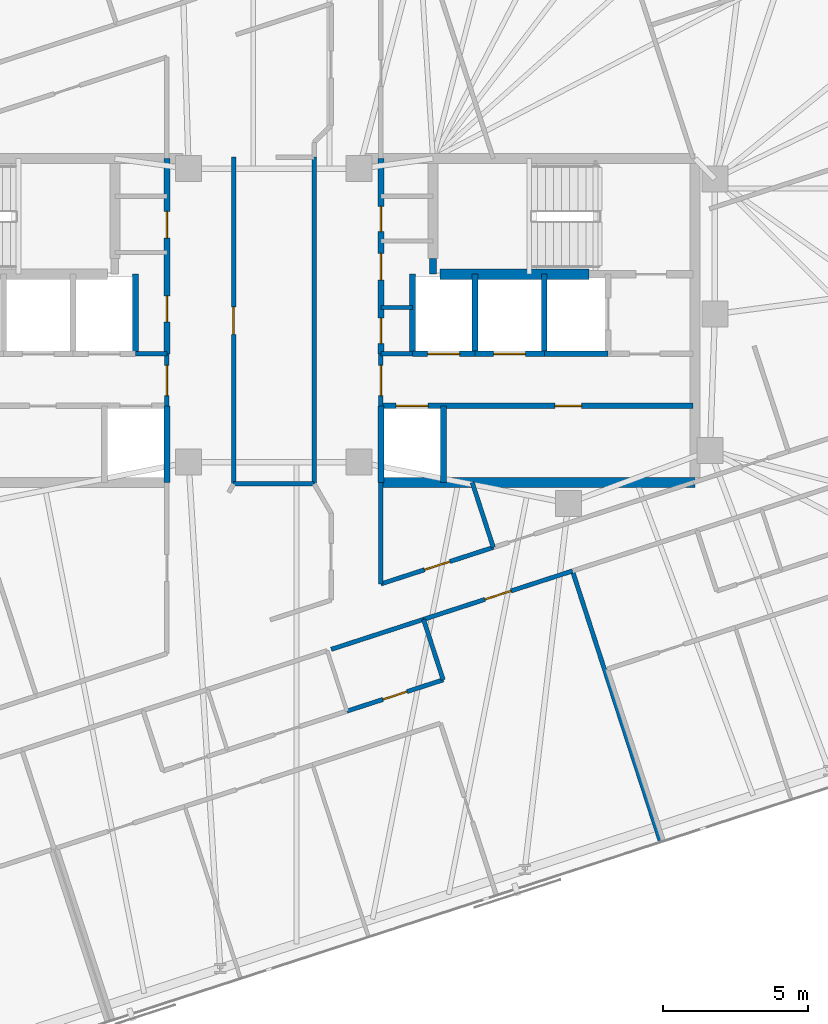
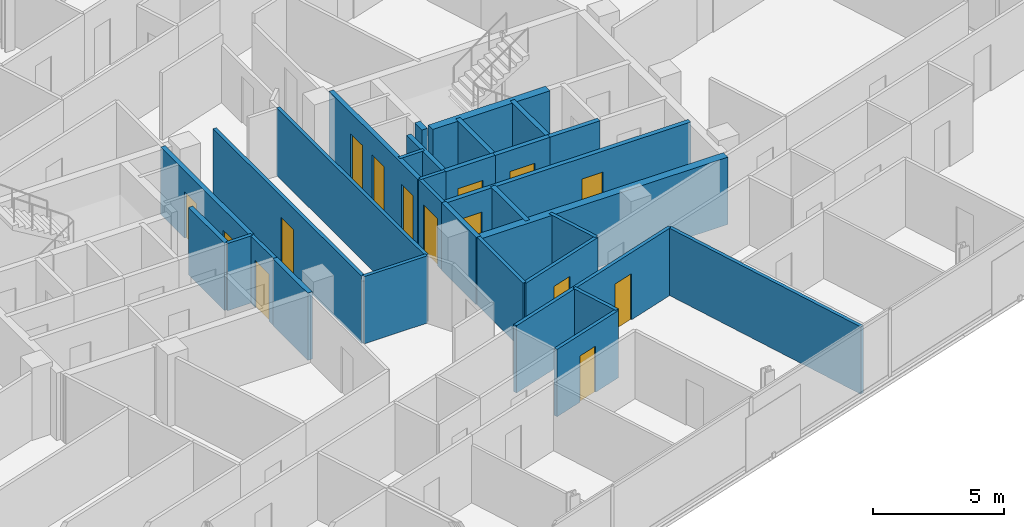
# One storey, part 15 of 20: 32 walls, 15 doors, 15 openings.
"""IFC4 building model written with IfcOpenShell, lengths in metres."""

from ifc_helpers import new_model, si_unit, direction, frame, frame_2d, origin, place, context, subcontext, project, spatial, rectangle, extrude, material, layer, layer_set, type_object, element, fill, save


model = new_model("IFC4")

# Units and contexts
model_context = context("Model", 3, precision=1e-05, world=origin(), true_north=direction((0.0, 1.0)))
body_context = subcontext(model_context, "Body", "Model", "MODEL_VIEW")
ifc_project = project(units=[si_unit("LENGTHUNIT", "METRE"), si_unit("AREAUNIT", "SQUARE_METRE"), si_unit("VOLUMEUNIT", "CUBIC_METRE"), si_unit("PLANEANGLEUNIT", "RADIAN"), si_unit("MASSUNIT", "GRAM", prefix="KILO")], contexts=[model_context])

# Site, building, storey
site_placement = place(None, origin())
site = spatial("IfcSite", under=ifc_project, at=site_placement, CompositionType="ELEMENT")
building_placement = place(site_placement, origin())
building = spatial("IfcBuilding", under=site, at=building_placement, Name="Menara Jurai Vektor", CompositionType="ELEMENT")
storey_placement = place(building_placement, frame((0.0, 0.0, 247.75)))
storey = spatial("IfcBuildingStorey", under=building, at=storey_placement, Name="L66", CompositionType="ELEMENT", Elevation=247.75)

# Walls
ifc_material_1 = material(Name="Concrete C40/50", Category="concrete")
ifc_layer_1 = layer(ifc_material_1, 0.25)
ifc_layer_set_1 = layer_set([ifc_layer_1], Name="Concrete C40/50")
wall_type_1 = type_object("IfcWallType", Name="INT-WALL-CORE-250", PredefinedType="STANDARD", material=ifc_layer_set_1)
wall_1_placement = place(storey_placement, frame((5.5, 1.60009765625, 0.0), z_axis=(0.0, 0.0, 1.0), x_axis=(0.0, 1.0, 0.0)))
element("IfcWall", 1, at=wall_1_placement, inside=storey, type_object=wall_type_1, Name="Interior Wall IW-250 L66", PredefinedType="STANDARD", context=body_context, shape_type="SweptSolid", body=[
    extrude(rectangle(XDim=0.5498046875, YDim=0.25, at=frame_2d((0.27490234375, 0.0))), origin(), (0.0, 0.0, 1.0), 3.125),
])
wall_2_placement = place(storey_placement, frame((9.35009765625, -1.14990234375, 0.0), z_axis=(0.0, 0.0, 1.0), x_axis=(0.0, 1.0, 0.0)))
element("IfcWall", 2, at=wall_2_placement, inside=storey, type_object=wall_type_1, Name="Interior Wall IW-250 L66", PredefinedType="STANDARD", context=body_context, shape_type="SweptSolid", body=[
    extrude(rectangle(XDim=2.75, YDim=0.199951171875, at=frame_2d((1.375, 0.0))), origin(), (0.0, 0.0, 1.0), 3.125),
])
wall_3_placement = place(storey_placement, frame((9.35009765625, -1.14990234375, 0.0), z_axis=(0.0, 0.0, 1.0), x_axis=(1.0, 0.0, 0.0)))
element("IfcWall", 3, at=wall_3_placement, inside=storey, type_object=wall_type_1, Name="Interior Wall IW-250 L66", PredefinedType="STANDARD", context=body_context, shape_type="SweptSolid", body=[
    extrude(rectangle(XDim=2.199951171875, YDim=0.199951171875, at=frame_2d((1.10009765625, 0.0))), origin(), (0.0, 0.0, 1.0), 3.125),
])

# Wall, opening, door
ifc_material_2 = material(Name="Gypsum Fireboard Partition", Category="gypsum")
ifc_layer_2 = layer(ifc_material_2, 0.14990234375)
ifc_layer_set_2 = layer_set([ifc_layer_2], Name="Gypsum Fireboard Partition")
wall_type_2 = type_object("IfcWallType", Name="INT-WALL-CORR-150", PredefinedType="PARTITIONING", material=ifc_layer_set_2)
wall_4_placement = place(storey_placement, frame((-3.699951171875, -2.949951171875, 0.0), z_axis=(0.0, 0.0, 1.0), x_axis=(0.0, 1.0, 0.0)))
wall_4 = element("IfcWall", 4, at=wall_4_placement, inside=storey, type_object=wall_type_2, Name="Interior Wall IW-150 L66", PredefinedType="PARTITIONING", context=body_context, shape_type="SweptSolid", body=[
    extrude(rectangle(XDim=1.800048828125, YDim=0.14990234375, at=frame_2d((0.89990234375, 0.0))), origin(), (0.0, 0.0, 1.0), 3.125),
])
opening_1_placement = place(wall_4_placement, frame((0.35009765625, 0.0, 0.0)))
opening_1 = element("IfcOpeningElement", 5, at=opening_1_placement, cuts=wall_4, Name="Opening D-L66-LLW", PredefinedType="OPENING", context=body_context, shape_type="SweptSolid", body=[
    extrude(rectangle(XDim=1.050048828125, YDim=2.179931640625, at=frame_2d((0.52490234375, 1.08984375))), frame((0.0, 0.0849609375, 0.0), z_axis=(0.0, -1.0, 0.0), x_axis=(1.0, 0.0, 0.0)), (0.0, 0.0, 1.0), 0.169921875),
])
ifc_material_3 = material(Name="Fire-Rated Timber Door", Category="wood")
door_type_1 = type_object("IfcDoorType", Name="DR-LOBBY-1050", OperationType="NOTDEFINED", PredefinedType="DOOR", material=ifc_material_3)
door_1_placement = place(opening_1_placement, origin())
door_1 = element("IfcDoor", 6, at=door_1_placement, inside=storey, type_object=door_type_1, Name="Lift Lobby Corridor Door W L66", OperationType="SINGLE_SWING_LEFT", OverallHeight=2.179931640625, OverallWidth=1.050048828125, PredefinedType="DOOR", context=body_context, shape_type="SweptSolid", body=[
    extrude(rectangle(XDim=1.050048828125, YDim=2.179931640625, at=frame_2d((0.52490234375, 1.08984375))), frame((0.0, 0.02490234375, 0.0), z_axis=(0.0, -1.0, 0.0), x_axis=(1.0, 0.0, 0.0)), (0.0, 0.0, 1.0), 0.050048828125),
])
fill(opening_1, door_1)

# Wall
wall_5_placement = place(storey_placement, frame((-4.7900390625, -1.14990234375, 0.0), z_axis=(0.0, 0.0, 1.0), x_axis=(1.0, 0.0, 0.0)))
element("IfcWall", 7, at=wall_5_placement, inside=storey, type_object=wall_type_2, Name="Interior Wall IW-150 L66", PredefinedType="PARTITIONING", context=body_context, shape_type="SweptSolid", body=[
    extrude(rectangle(XDim=1.090087890625, YDim=0.14990234375, at=frame_2d((0.544921875, 0.0))), origin(), (0.0, 0.0, 1.0), 3.125),
])

# Wall, opening, door
wall_6_placement = place(storey_placement, frame((3.699951171875, -2.949951171875, 0.0), z_axis=(0.0, 0.0, 1.0), x_axis=(0.0, 1.0, 0.0)))
wall_6 = element("IfcWall", 8, at=wall_6_placement, inside=storey, type_object=wall_type_2, Name="Interior Wall IW-150 L66", PredefinedType="PARTITIONING", context=body_context, shape_type="SweptSolid", body=[
    extrude(rectangle(XDim=1.800048828125, YDim=0.14990234375, at=frame_2d((0.89990234375, 0.0))), origin(), (0.0, 0.0, 1.0), 3.125),
])
opening_2_placement = place(wall_6_placement, frame((0.35009765625, 0.0, 0.0)))
opening_2 = element("IfcOpeningElement", 9, at=opening_2_placement, cuts=wall_6, Name="Opening D-L66-LLE", PredefinedType="OPENING", context=body_context, shape_type="SweptSolid", body=[
    extrude(rectangle(XDim=1.050048828125, YDim=2.179931640625, at=frame_2d((0.52490234375, 1.08984375))), frame((0.0, 0.0849609375, 0.0), z_axis=(0.0, -1.0, 0.0), x_axis=(1.0, 0.0, 0.0)), (0.0, 0.0, 1.0), 0.169921875),
])
door_2_placement = place(opening_2_placement, frame((1.050048828125, 0.0, 0.0), z_axis=(0.0, 0.0, 1.0), x_axis=(-1.0, 0.0, 0.0)))
door_2 = element("IfcDoor", 10, at=door_2_placement, inside=storey, type_object=door_type_1, Name="Lift Lobby Corridor Door E L66", OperationType="SINGLE_SWING_RIGHT", OverallHeight=2.179931640625, OverallWidth=1.050048828125, PredefinedType="DOOR", context=body_context, shape_type="SweptSolid", body=[
    extrude(rectangle(XDim=1.050048828125, YDim=2.179931640625, at=frame_2d((0.52490234375, 1.08984375))), frame((0.0, 0.02490234375, 0.0), z_axis=(0.0, -1.0, 0.0), x_axis=(1.0, 0.0, 0.0)), (0.0, 0.0, 1.0), 0.050048828125),
])
fill(opening_2, door_2)

# Walls
for number, where, z_axis, x_axis, name in (
    (11, (3.699951171875, -1.14990234375, 0.0), (0.0, 0.0, 1.0), (1.0, 0.0, 0.0), "Interior Wall IW-150 L66"),
    (12, (3.699951171875, 0.449951171875, 0.0), (0.0, 0.0, 1.0), (1.0, 0.0, 0.0), "Interior Wall IW-150 L66"),
):
    element("IfcWall", number, at=place(storey_placement, frame(where, z_axis=z_axis, x_axis=x_axis)), inside=storey, type_object=wall_type_2, Name=name, PredefinedType="PARTITIONING", context=body_context, shape_type="SweptSolid", body=[
        extrude(rectangle(XDim=1.090087890625, YDim=0.14990234375, at=frame_2d((0.544921875, 0.0))), origin(), (0.0, 0.0, 1.0), 3.125),
    ])

# Wall, opening, door
wall_7_placement = place(storey_placement, frame((-1.390625, -5.650146484375, 0.0), z_axis=(0.0, 0.0, 1.0), x_axis=(-8.6422954e-05, 0.999999996266, 0.0)))
wall_7 = element("IfcWall", 13, at=wall_7_placement, inside=storey, type_object=wall_type_2, Name="Interior Wall IW-150 L66", PredefinedType="PARTITIONING", context=body_context, shape_type="SweptSolid", body=[
    extrude(rectangle(XDim=11.2998046875, YDim=0.14990234375, at=frame_2d((5.64990234375, 0.0))), origin(), (0.0, 0.0, 1.0), 3.125),
])
opening_3_placement = place(wall_7_placement, frame((5.1748046875, 0.0, 0.0)))
opening_3 = element("IfcOpeningElement", 14, at=opening_3_placement, cuts=wall_7, Name="Opening D66-09", PredefinedType="OPENING", context=body_context, shape_type="SweptSolid", body=[
    extrude(rectangle(XDim=0.949951171875, YDim=2.14990234375, at=frame_2d((0.47509765625, 1.074951171875))), frame((0.0, 0.0849609375, 0.0), z_axis=(0.0, -1.0, 0.0), x_axis=(1.0, 0.0, 0.0)), (0.0, 0.0, 1.0), 0.169921875),
])
ifc_material_4 = material(Name="Solid Core Timber Fire Door", Category="wood")
door_type_2 = type_object("IfcDoorType", Name="DR-ENTRY-950", OperationType="NOTDEFINED", PredefinedType="DOOR", material=ifc_material_4)
door_3_placement = place(opening_3_placement, origin())
door_3 = element("IfcDoor", 15, at=door_3_placement, inside=storey, type_object=door_type_2, Name="Interior Door D66-09", OperationType="SINGLE_SWING_LEFT", OverallHeight=2.14990234375, OverallWidth=0.949951171875, PredefinedType="DOOR", context=body_context, shape_type="SweptSolid", body=[
    extrude(rectangle(XDim=0.949951171875, YDim=2.14990234375, at=frame_2d((0.47509765625, 1.074951171875))), frame((0.0, 0.02490234375, 0.0), z_axis=(0.0, -1.0, 0.0), x_axis=(1.0, 0.0, 0.0)), (0.0, 0.0, 1.0), 0.050048828125),
])
fill(opening_3, door_3)

# Wall
wall_8_placement = place(storey_placement, frame((1.39111328125, -5.6484375, 0.0), z_axis=(0.0, 0.0, 1.0), x_axis=(-4.3218947e-05, 0.999999999066, 0.0)))
element("IfcWall", 16, at=wall_8_placement, inside=storey, type_object=wall_type_2, Name="Interior Wall IW-150 L66", PredefinedType="PARTITIONING", context=body_context, shape_type="SweptSolid", body=[
    extrude(rectangle(XDim=11.2978515625, YDim=0.14990234375, at=frame_2d((5.64892578125, 0.0))), origin(), (0.0, 0.0, 1.0), 3.125),
])

# Wall, opening, door
wall_9_placement = place(storey_placement, frame((5.174072265625, -10.333740234375, 0.0), z_axis=(0.0, 0.0, 1.0), x_axis=(0.951058579685, 0.30901064384, 0.0)))
wall_9 = element("IfcWall", 17, at=wall_9_placement, inside=storey, type_object=wall_type_2, Name="Interior Wall IW-150 L66", PredefinedType="PARTITIONING", context=body_context, shape_type="SweptSolid", body=[
    extrude(rectangle(XDim=5.416015625, YDim=0.14990234375, at=frame_2d((2.7080078125, 0.0))), origin(), (0.0, 0.0, 1.0), 3.125),
])
opening_4_placement = place(wall_9_placement, frame((2.23291015625, 0.0, 0.0)))
opening_4 = element("IfcOpeningElement", 18, at=opening_4_placement, cuts=wall_9, Name="Opening D66-29", PredefinedType="OPENING", context=body_context, shape_type="SweptSolid", body=[
    extrude(rectangle(XDim=0.949951171875, YDim=2.14990234375, at=frame_2d((0.47509765625, 1.074951171875))), frame((0.0, 0.0849609375, 0.0), z_axis=(0.0, -1.0, 0.0), x_axis=(1.0, 0.0, 0.0)), (0.0, 0.0, 1.0), 0.169921875),
])
door_4_placement = place(opening_4_placement, origin())
door_4 = element("IfcDoor", 19, at=door_4_placement, inside=storey, type_object=door_type_2, Name="Interior Door D66-29", OperationType="SINGLE_SWING_LEFT", OverallHeight=2.14990234375, OverallWidth=0.949951171875, PredefinedType="DOOR", context=body_context, shape_type="SweptSolid", body=[
    extrude(rectangle(XDim=0.949951171875, YDim=2.14990234375, at=frame_2d((0.47509765625, 1.074951171875))), frame((0.0, 0.02490234375, 0.0), z_axis=(0.0, -1.0, 0.0), x_axis=(1.0, 0.0, 0.0)), (0.0, 0.0, 1.0), 0.050048828125),
])
fill(opening_4, door_4)

# Walls
wall_10_placement = place(storey_placement, frame((1.980224609375, -11.37158203125, 0.0), z_axis=(0.0, 0.0, 1.0), x_axis=(0.951047958247, 0.309043332098, 0.0)))
element("IfcWall", 20, at=wall_10_placement, inside=storey, type_object=wall_type_2, Name="Interior Wall IW-150 L66", PredefinedType="PARTITIONING", context=body_context, shape_type="SweptSolid", body=[
    extrude(rectangle(XDim=3.358154296875, YDim=0.14990234375, at=frame_2d((1.67919921875, 0.0))), origin(), (0.0, 0.0, 1.0), 3.125),
])
wall_11_placement = place(storey_placement, frame((3.700439453125, -9.109130859375, 0.0), z_axis=(0.0, 0.0, 1.0), x_axis=(-0.000139130433, 0.999999990321, 0.0)))
element("IfcWall", 21, at=wall_11_placement, inside=storey, type_object=wall_type_2, Name="Interior Wall IW-150 L66", PredefinedType="PARTITIONING", context=body_context, shape_type="SweptSolid", body=[
    extrude(rectangle(XDim=3.509521484375, YDim=0.14990234375, at=frame_2d((1.7548828125, 0.0))), origin(), (0.0, 0.0, 1.0), 3.125),
])

# Wall, opening, door
wall_12_placement = place(storey_placement, frame((3.700439453125, -9.109130859375, 0.0), z_axis=(0.0, 0.0, 1.0), x_axis=(0.95106259184, 0.308998295145, 0.0)))
wall_12 = element("IfcWall", 22, at=wall_12_placement, inside=storey, type_object=wall_type_2, Name="Interior Wall IW-150 L66", PredefinedType="PARTITIONING", context=body_context, shape_type="SweptSolid", body=[
    extrude(rectangle(XDim=4.087890625, YDim=0.14990234375, at=frame_2d((2.0439453125, 0.0))), origin(), (0.0, 0.0, 1.0), 3.125),
])
opening_5_placement = place(wall_12_placement, frame((1.583984375, 0.0, 0.0)))
opening_5 = element("IfcOpeningElement", 23, at=opening_5_placement, cuts=wall_12, Name="Opening D66-47", PredefinedType="OPENING", context=body_context, shape_type="SweptSolid", body=[
    extrude(rectangle(XDim=0.919921875, YDim=2.14990234375, at=frame_2d((0.4599609375, 1.074951171875))), frame((0.0, 0.0849609375, 0.0), z_axis=(0.0, -1.0, 0.0), x_axis=(1.0, 0.0, 0.0)), (0.0, 0.0, 1.0), 0.169921875),
])
door_5_placement = place(opening_5_placement, origin())
door_5 = element("IfcDoor", 24, at=door_5_placement, inside=storey, type_object=door_type_2, Name="Interior Door D66-47", OperationType="SINGLE_SWING_LEFT", OverallHeight=2.14990234375, OverallWidth=0.919921875, PredefinedType="DOOR", context=body_context, shape_type="SweptSolid", body=[
    extrude(rectangle(XDim=0.919921875, YDim=2.14990234375, at=frame_2d((0.4599609375, 1.074951171875))), frame((0.0, 0.02490234375, 0.0), z_axis=(0.0, -1.0, 0.0), x_axis=(1.0, 0.0, 0.0)), (0.0, 0.0, 1.0), 0.050048828125),
])
fill(opening_5, door_5)

# Wall
wall_13_placement = place(storey_placement, frame((-1.390625, -5.650146484375, 0.0), z_axis=(0.0, 0.0, 1.0), x_axis=(0.999999965344, 0.000263273356, 0.0)))
element("IfcWall", 25, at=wall_13_placement, inside=storey, type_object=wall_type_2, Name="Interior Wall IW-150 L66", PredefinedType="PARTITIONING", context=body_context, shape_type="SweptSolid", body=[
    extrude(rectangle(XDim=2.781982421875, YDim=0.14990234375, at=frame_2d((1.39111328125, 0.0))), origin(), (0.0, 0.0, 1.0), 3.125),
])

# Wall, opening, door
wall_14_placement = place(storey_placement, frame((2.525146484375, -13.5078125, 0.0), z_axis=(0.0, 0.0, 1.0), x_axis=(0.95103509395, 0.3090829178, 0.0)))
wall_14 = element("IfcWall", 26, at=wall_14_placement, inside=storey, type_object=wall_type_2, Name="Interior Wall IW-150 L66", PredefinedType="PARTITIONING", context=body_context, shape_type="SweptSolid", body=[
    extrude(rectangle(XDim=3.5, YDim=0.14990234375, at=frame_2d((1.75, 0.0))), origin(), (0.0, 0.0, 1.0), 3.125),
])
opening_6_placement = place(wall_14_placement, frame((1.31005859375, 0.0, 0.0)))
opening_6 = element("IfcOpeningElement", 27, at=opening_6_placement, cuts=wall_14, Name="Opening D66-32", PredefinedType="OPENING", context=body_context, shape_type="SweptSolid", body=[
    extrude(rectangle(XDim=0.8798828125, YDim=2.14990234375, at=frame_2d((0.43994140625, 1.074951171875))), frame((0.0, 0.0849609375, 0.0), z_axis=(0.0, -1.0, 0.0), x_axis=(1.0, 0.0, 0.0)), (0.0, 0.0, 1.0), 0.169921875),
])
ifc_material_5 = material(Name="Moisture-Resistant Timber Door", Category="wood")
door_type_3 = type_object("IfcDoorType", Name="DR-BATH-880", OperationType="NOTDEFINED", PredefinedType="DOOR", material=ifc_material_5)
door_6_placement = place(opening_6_placement, origin())
door_6 = element("IfcDoor", 28, at=door_6_placement, inside=storey, type_object=door_type_3, Name="Interior Door D66-32", OperationType="SINGLE_SWING_RIGHT", OverallHeight=2.14990234375, OverallWidth=0.8798828125, PredefinedType="DOOR", context=body_context, shape_type="SweptSolid", body=[
    extrude(rectangle(XDim=0.8798828125, YDim=2.14990234375, at=frame_2d((0.43994140625, 1.074951171875))), frame((0.0, 0.02490234375, 0.0), z_axis=(0.0, -1.0, 0.0), x_axis=(1.0, 0.0, 0.0)), (0.0, 0.0, 1.0), 0.050048828125),
])
fill(opening_6, door_6)

# Walls
wall_15_placement = place(storey_placement, frame((5.853759765625, -12.426025390625, 0.0), z_axis=(0.0, 0.0, 1.0), x_axis=(-0.308960600764, 0.951074837842, 0.0)))
element("IfcWall", 29, at=wall_15_placement, inside=storey, type_object=wall_type_2, Name="Interior Wall IW-150 L66", PredefinedType="PARTITIONING", context=body_context, shape_type="SweptSolid", body=[
    extrude(rectangle(XDim=2.199951171875, YDim=0.14990234375, at=frame_2d((1.10009765625, 0.0))), origin(), (0.0, 0.0, 1.0), 3.125),
])
wall_16_placement = place(storey_placement, frame((13.372314453125, -18.03955078125, 0.0), z_axis=(0.0, 0.0, 1.0), x_axis=(-0.308999867152, 0.951062081097, 0.0)))
element("IfcWall", 30, at=wall_16_placement, inside=storey, type_object=wall_type_2, Name="Interior Wall IW-150 L66", PredefinedType="PARTITIONING", context=body_context, shape_type="SweptSolid", body=[
    extrude(rectangle(XDim=9.862060546875, YDim=0.14990234375, at=frame_2d((4.93115234375, 0.0))), origin(), (0.0, 0.0, 1.0), 3.125),
])
wall_17_placement = place(storey_placement, frame((7.58837890625, -7.845947265625, 0.0), z_axis=(0.0, 0.0, 1.0), x_axis=(-0.309055688452, 0.951043942957, 0.0)))
element("IfcWall", 31, at=wall_17_placement, inside=storey, type_object=wall_type_2, Name="Interior Wall IW-150 L66", PredefinedType="PARTITIONING", context=body_context, shape_type="SweptSolid", body=[
    extrude(rectangle(XDim=2.362060546875, YDim=0.14990234375, at=frame_2d((1.18115234375, 0.0))), origin(), (0.0, 0.0, 1.0), 3.125),
])

# Wall, openings, doors
ifc_layer_3 = layer(ifc_material_1, 0.199951171875)
ifc_layer_set_3 = layer_set([ifc_layer_3], Name="Concrete C40/50")
wall_type_3 = type_object("IfcWallType", Name="INT-WALL-SHAFT-200", PredefinedType="STANDARD", material=ifc_layer_set_3)
wall_18_placement = place(storey_placement, frame((-3.699951171875, -1.14990234375, 0.0), z_axis=(0.0, 0.0, 1.0), x_axis=(0.0, 1.0, 0.0)))
wall_18 = element("IfcWall", 32, at=wall_18_placement, inside=storey, type_object=wall_type_3, Name="Interior Wall IW-200 L66", PredefinedType="STANDARD", context=body_context, shape_type="SweptSolid", body=[
    extrude(rectangle(XDim=6.75, YDim=0.199951171875, at=frame_2d((3.375, 0.0))), origin(), (0.0, 0.0, 1.0), 3.125),
])
opening_7_placement = place(wall_18_placement, frame((1.10009765625, 0.0, 0.0)))
opening_7 = element("IfcOpeningElement", 33, at=opening_7_placement, cuts=wall_18, Name="Opening D66-03", PredefinedType="OPENING", context=body_context, shape_type="SweptSolid", body=[
    extrude(rectangle(XDim=0.89990234375, YDim=2.14990234375, at=frame_2d((0.449951171875, 1.074951171875))), frame((0.0, 0.10986328125, 0.0), z_axis=(0.0, -1.0, 0.0), x_axis=(1.0, 0.0, 0.0)), (0.0, 0.0, 1.0), 0.219970703125),
])
opening_8_placement = place(wall_18_placement, frame((4.0, 0.0, 0.0)))
opening_8 = element("IfcOpeningElement", 34, at=opening_8_placement, cuts=wall_18, Name="Opening D66-04", PredefinedType="OPENING", context=body_context, shape_type="SweptSolid", body=[
    extrude(rectangle(XDim=0.919921875, YDim=2.14990234375, at=frame_2d((0.4599609375, 1.074951171875))), frame((0.0, 0.10986328125, 0.0), z_axis=(0.0, -1.0, 0.0), x_axis=(1.0, 0.0, 0.0)), (0.0, 0.0, 1.0), 0.219970703125),
])
door_7_placement = place(opening_7_placement, origin())
door_7 = element("IfcDoor", 35, at=door_7_placement, inside=storey, type_object=door_type_2, Name="Interior Door D66-03", OperationType="SINGLE_SWING_LEFT", OverallHeight=2.14990234375, OverallWidth=0.89990234375, PredefinedType="DOOR", context=body_context, shape_type="SweptSolid", body=[
    extrude(rectangle(XDim=0.89990234375, YDim=2.14990234375, at=frame_2d((0.449951171875, 1.074951171875))), frame((0.0, 0.02490234375, 0.0), z_axis=(0.0, -1.0, 0.0), x_axis=(1.0, 0.0, 0.0)), (0.0, 0.0, 1.0), 0.050048828125),
])
fill(opening_7, door_7)
door_8_placement = place(opening_8_placement, origin())
door_8 = element("IfcDoor", 36, at=door_8_placement, inside=storey, type_object=door_type_2, Name="Interior Door D66-04", OperationType="SINGLE_SWING_LEFT", OverallHeight=2.14990234375, OverallWidth=0.919921875, PredefinedType="DOOR", context=body_context, shape_type="SweptSolid", body=[
    extrude(rectangle(XDim=0.919921875, YDim=2.14990234375, at=frame_2d((0.4599609375, 1.074951171875))), frame((0.0, 0.02490234375, 0.0), z_axis=(0.0, -1.0, 0.0), x_axis=(1.0, 0.0, 0.0)), (0.0, 0.0, 1.0), 0.050048828125),
])
fill(opening_8, door_8)

# Walls
wall_19_placement = place(storey_placement, frame((-3.699951171875, -5.60009765625, 0.0), z_axis=(0.0, 0.0, 1.0), x_axis=(0.0, 1.0, 0.0)))
element("IfcWall", 37, at=wall_19_placement, inside=storey, type_object=wall_type_3, Name="Interior Wall IW-200 L66", PredefinedType="STANDARD", context=body_context, shape_type="SweptSolid", body=[
    extrude(rectangle(XDim=2.650146484375, YDim=0.199951171875, at=frame_2d((1.3251953125, 0.0))), origin(), (0.0, 0.0, 1.0), 3.125),
])
wall_20_placement = place(storey_placement, frame((-4.7900390625, -1.14990234375, 0.0), z_axis=(0.0, 0.0, 1.0), x_axis=(0.0, 1.0, 0.0)))
element("IfcWall", 38, at=wall_20_placement, inside=storey, type_object=wall_type_3, Name="Interior Wall IW-200 L66", PredefinedType="STANDARD", context=body_context, shape_type="SweptSolid", body=[
    extrude(rectangle(XDim=2.75, YDim=0.199951171875, at=frame_2d((1.375, 0.0))), origin(), (0.0, 0.0, 1.0), 3.125),
])

# Wall, openings, doors
wall_21_placement = place(storey_placement, frame((3.699951171875, -1.14990234375, 0.0), z_axis=(0.0, 0.0, 1.0), x_axis=(0.0, 1.0, 0.0)))
wall_21 = element("IfcWall", 39, at=wall_21_placement, inside=storey, type_object=wall_type_3, Name="Interior Wall IW-200 L66", PredefinedType="STANDARD", context=body_context, shape_type="SweptSolid", body=[
    extrude(rectangle(XDim=6.75, YDim=0.199951171875, at=frame_2d((3.375, 0.0))), origin(), (0.0, 0.0, 1.0), 3.125),
])
opening_9_placement = place(wall_21_placement, frame((0.35009765625, 0.0, 0.0)))
opening_9 = element("IfcOpeningElement", 40, at=opening_9_placement, cuts=wall_21, Name="Opening D66-06", PredefinedType="OPENING", context=body_context, shape_type="SweptSolid", body=[
    extrude(rectangle(XDim=0.8798828125, YDim=2.14990234375, at=frame_2d((0.43994140625, 1.074951171875))), frame((0.0, 0.10986328125, 0.0), z_axis=(0.0, -1.0, 0.0), x_axis=(1.0, 0.0, 0.0)), (0.0, 0.0, 1.0), 0.219970703125),
])
opening_10_placement = place(wall_21_placement, frame((2.550048828125, 0.0, 0.0)))
opening_10 = element("IfcOpeningElement", 41, at=opening_10_placement, cuts=wall_21, Name="Opening D66-07", PredefinedType="OPENING", context=body_context, shape_type="SweptSolid", body=[
    extrude(rectangle(XDim=0.919921875, YDim=2.14990234375, at=frame_2d((0.4599609375, 1.074951171875))), frame((0.0, 0.10986328125, 0.0), z_axis=(0.0, -1.0, 0.0), x_axis=(1.0, 0.0, 0.0)), (0.0, 0.0, 1.0), 0.219970703125),
])
opening_11_placement = place(wall_21_placement, frame((4.219970703125, 0.0, 0.0)))
opening_11 = element("IfcOpeningElement", 42, at=opening_11_placement, cuts=wall_21, Name="Opening D66-08", PredefinedType="OPENING", context=body_context, shape_type="SweptSolid", body=[
    extrude(rectangle(XDim=0.8798828125, YDim=2.14990234375, at=frame_2d((0.43994140625, 1.074951171875))), frame((0.0, 0.10986328125, 0.0), z_axis=(0.0, -1.0, 0.0), x_axis=(1.0, 0.0, 0.0)), (0.0, 0.0, 1.0), 0.219970703125),
])
door_9_placement = place(opening_9_placement, origin())
door_9 = element("IfcDoor", 43, at=door_9_placement, inside=storey, type_object=door_type_2, Name="Interior Door D66-06", OperationType="SINGLE_SWING_RIGHT", OverallHeight=2.14990234375, OverallWidth=0.8798828125, PredefinedType="DOOR", context=body_context, shape_type="SweptSolid", body=[
    extrude(rectangle(XDim=0.8798828125, YDim=2.14990234375, at=frame_2d((0.43994140625, 1.074951171875))), frame((0.0, 0.02490234375, 0.0), z_axis=(0.0, -1.0, 0.0), x_axis=(1.0, 0.0, 0.0)), (0.0, 0.0, 1.0), 0.050048828125),
])
fill(opening_9, door_9)
door_10_placement = place(opening_10_placement, origin())
door_10 = element("IfcDoor", 44, at=door_10_placement, inside=storey, type_object=door_type_2, Name="Interior Door D66-07", OperationType="SINGLE_SWING_RIGHT", OverallHeight=2.14990234375, OverallWidth=0.919921875, PredefinedType="DOOR", context=body_context, shape_type="SweptSolid", body=[
    extrude(rectangle(XDim=0.919921875, YDim=2.14990234375, at=frame_2d((0.4599609375, 1.074951171875))), frame((0.0, 0.02490234375, 0.0), z_axis=(0.0, -1.0, 0.0), x_axis=(1.0, 0.0, 0.0)), (0.0, 0.0, 1.0), 0.050048828125),
])
fill(opening_10, door_10)
door_11_placement = place(opening_11_placement, origin())
door_11 = element("IfcDoor", 45, at=door_11_placement, inside=storey, type_object=door_type_2, Name="Interior Door D66-08", OperationType="SINGLE_SWING_RIGHT", OverallHeight=2.14990234375, OverallWidth=0.8798828125, PredefinedType="DOOR", context=body_context, shape_type="SweptSolid", body=[
    extrude(rectangle(XDim=0.8798828125, YDim=2.14990234375, at=frame_2d((0.43994140625, 1.074951171875))), frame((0.0, 0.02490234375, 0.0), z_axis=(0.0, -1.0, 0.0), x_axis=(1.0, 0.0, 0.0)), (0.0, 0.0, 1.0), 0.050048828125),
])
fill(opening_11, door_11)

# Walls
wall_22_placement = place(storey_placement, frame((3.699951171875, -5.60009765625, 0.0), z_axis=(0.0, 0.0, 1.0), x_axis=(0.0, 1.0, 0.0)))
element("IfcWall", 46, at=wall_22_placement, inside=storey, type_object=wall_type_3, Name="Interior Wall IW-200 L66", PredefinedType="STANDARD", context=body_context, shape_type="SweptSolid", body=[
    extrude(rectangle(XDim=2.650146484375, YDim=0.199951171875, at=frame_2d((1.3251953125, 0.0))), origin(), (0.0, 0.0, 1.0), 3.125),
])
wall_23_placement = place(storey_placement, frame((6.949951171875, -1.14990234375, 0.0), z_axis=(0.0, 0.0, 1.0), x_axis=(0.0, 1.0, 0.0)))
element("IfcWall", 47, at=wall_23_placement, inside=storey, type_object=wall_type_3, Name="Interior Wall IW-200 L66", PredefinedType="STANDARD", context=body_context, shape_type="SweptSolid", body=[
    extrude(rectangle(XDim=2.75, YDim=0.199951171875, at=frame_2d((1.375, 0.0))), origin(), (0.0, 0.0, 1.0), 3.125),
])

# Wall, opening, door
wall_24_placement = place(storey_placement, frame((6.949951171875, -1.14990234375, 0.0), z_axis=(0.0, 0.0, 1.0), x_axis=(1.0, 0.0, 0.0)))
wall_24 = element("IfcWall", 48, at=wall_24_placement, inside=storey, type_object=wall_type_3, Name="Interior Wall IW-200 L66", PredefinedType="STANDARD", context=body_context, shape_type="SweptSolid", body=[
    extrude(rectangle(XDim=2.400146484375, YDim=0.199951171875, at=frame_2d((1.2001953125, 0.0))), origin(), (0.0, 0.0, 1.0), 3.125),
])
opening_12_placement = place(wall_24_placement, frame((0.64990234375, 0.0, 0.0)))
opening_12 = element("IfcOpeningElement", 49, at=opening_12_placement, cuts=wall_24, Name="Opening LD-L66-SVL2", PredefinedType="OPENING", context=body_context, shape_type="SweptSolid", body=[
    extrude(rectangle(XDim=1.10009765625, YDim=2.14990234375, at=frame_2d((0.550048828125, 1.074951171875))), frame((0.0, 0.10986328125, 0.0), z_axis=(0.0, -1.0, 0.0), x_axis=(1.0, 0.0, 0.0)), (0.0, 0.0, 1.0), 0.219970703125),
])
ifc_material_6 = material(Name="Anodised Stainless Sliding Lift Landing Door", Category="steel")
door_type_4 = type_object("IfcDoorType", Name="DR-LIFT-PASS-1100", OperationType="NOTDEFINED", PredefinedType="DOOR", material=ifc_material_6)
door_12_placement = place(opening_12_placement, origin())
door_12 = element("IfcDoor", 50, at=door_12_placement, inside=storey, type_object=door_type_4, Name="Lift Landing Door SVL2 L66", OperationType="SLIDING_TO_RIGHT", OverallHeight=2.14990234375, OverallWidth=1.10009765625, PredefinedType="DOOR", context=body_context, shape_type="SweptSolid", body=[
    extrude(rectangle(XDim=1.10009765625, YDim=2.14990234375, at=frame_2d((0.550048828125, 1.074951171875))), frame((0.0, 0.02490234375, 0.0), z_axis=(0.0, -1.0, 0.0), x_axis=(1.0, 0.0, 0.0)), (0.0, 0.0, 1.0), 0.050048828125),
])
fill(opening_12, door_12)

# Wall
wall_25_placement = place(storey_placement, frame((4.7900390625, -1.14990234375, 0.0), z_axis=(0.0, 0.0, 1.0), x_axis=(0.0, 1.0, 0.0)))
element("IfcWall", 51, at=wall_25_placement, inside=storey, type_object=wall_type_3, Name="Interior Wall IW-200 L66", PredefinedType="STANDARD", context=body_context, shape_type="SweptSolid", body=[
    extrude(rectangle(XDim=2.75, YDim=0.199951171875, at=frame_2d((1.375, 0.0))), origin(), (0.0, 0.0, 1.0), 3.125),
])

# Wall, opening, door
wall_26_placement = place(storey_placement, frame((4.7900390625, -1.14990234375, 0.0), z_axis=(0.0, 0.0, 1.0), x_axis=(1.0, 0.0, 0.0)))
wall_26 = element("IfcWall", 52, at=wall_26_placement, inside=storey, type_object=wall_type_3, Name="Interior Wall IW-200 L66", PredefinedType="STANDARD", context=body_context, shape_type="SweptSolid", body=[
    extrude(rectangle(XDim=2.159912109375, YDim=0.199951171875, at=frame_2d((1.080078125, 0.0))), origin(), (0.0, 0.0, 1.0), 3.125),
])
opening_13_placement = place(wall_26_placement, frame((0.530029296875, 0.0, 0.0)))
opening_13 = element("IfcOpeningElement", 53, at=opening_13_placement, cuts=wall_26, Name="Opening LD-L66-PH4", PredefinedType="OPENING", context=body_context, shape_type="SweptSolid", body=[
    extrude(rectangle(XDim=1.10009765625, YDim=2.14990234375, at=frame_2d((0.550048828125, 1.074951171875))), frame((0.0, 0.10986328125, 0.0), z_axis=(0.0, -1.0, 0.0), x_axis=(1.0, 0.0, 0.0)), (0.0, 0.0, 1.0), 0.219970703125),
])
door_13_placement = place(opening_13_placement, origin())
door_13 = element("IfcDoor", 54, at=door_13_placement, inside=storey, type_object=door_type_4, Name="Lift Landing Door PH4 L66", OperationType="SLIDING_TO_LEFT", OverallHeight=2.14990234375, OverallWidth=1.10009765625, PredefinedType="DOOR", context=body_context, shape_type="SweptSolid", body=[
    extrude(rectangle(XDim=1.10009765625, YDim=2.14990234375, at=frame_2d((0.550048828125, 1.074951171875))), frame((0.0, 0.02490234375, 0.0), z_axis=(0.0, -1.0, 0.0), x_axis=(1.0, 0.0, 0.0)), (0.0, 0.0, 1.0), 0.050048828125),
])
fill(opening_13, door_13)

# Wall, openings, doors
wall_27_placement = place(storey_placement, frame((3.699951171875, -2.949951171875, 0.0), z_axis=(0.0, 0.0, 1.0), x_axis=(1.0, 0.0, 0.0)))
wall_27 = element("IfcWall", 55, at=wall_27_placement, inside=storey, type_object=wall_type_3, Name="Interior Wall IW-200 L66", PredefinedType="STANDARD", context=body_context, shape_type="SweptSolid", body=[
    extrude(rectangle(XDim=10.800048828125, YDim=0.199951171875, at=frame_2d((5.39990234375, 0.0))), origin(), (0.0, 0.0, 1.0), 3.125),
])
opening_14_placement = place(wall_27_placement, frame((0.530029296875, 0.0, 0.0)))
opening_14 = element("IfcOpeningElement", 56, at=opening_14_placement, cuts=wall_27, Name="Opening LD-L66-PH3", PredefinedType="OPENING", context=body_context, shape_type="SweptSolid", body=[
    extrude(rectangle(XDim=1.10009765625, YDim=2.14990234375, at=frame_2d((0.550048828125, 1.074951171875))), frame((0.0, 0.10986328125, 0.0), z_axis=(0.0, -1.0, 0.0), x_axis=(1.0, 0.0, 0.0)), (0.0, 0.0, 1.0), 0.219970703125),
])
opening_15_placement = place(wall_27_placement, frame((6.02001953125, 0.0, 0.0)))
opening_15 = element("IfcOpeningElement", 57, at=opening_15_placement, cuts=wall_27, Name="Opening D66-05", PredefinedType="OPENING", context=body_context, shape_type="SweptSolid", body=[
    extrude(rectangle(XDim=0.919921875, YDim=2.14990234375, at=frame_2d((0.4599609375, 1.074951171875))), frame((0.0, 0.10986328125, 0.0), z_axis=(0.0, -1.0, 0.0), x_axis=(1.0, 0.0, 0.0)), (0.0, 0.0, 1.0), 0.219970703125),
])
door_14_placement = place(opening_15_placement, origin())
door_14 = element("IfcDoor", 58, at=door_14_placement, inside=storey, type_object=door_type_2, Name="Interior Door D66-05", OperationType="SINGLE_SWING_LEFT", OverallHeight=2.14990234375, OverallWidth=0.919921875, PredefinedType="DOOR", context=body_context, shape_type="SweptSolid", body=[
    extrude(rectangle(XDim=0.919921875, YDim=2.14990234375, at=frame_2d((0.4599609375, 1.074951171875))), frame((0.0, 0.02490234375, 0.0), z_axis=(0.0, -1.0, 0.0), x_axis=(1.0, 0.0, 0.0)), (0.0, 0.0, 1.0), 0.050048828125),
])
fill(opening_15, door_14)
door_15_placement = place(opening_14_placement, origin())
door_15 = element("IfcDoor", 59, at=door_15_placement, inside=storey, type_object=door_type_4, Name="Lift Landing Door PH3 L66", OperationType="SLIDING_TO_RIGHT", OverallHeight=2.14990234375, OverallWidth=1.10009765625, PredefinedType="DOOR", context=body_context, shape_type="SweptSolid", body=[
    extrude(rectangle(XDim=1.10009765625, YDim=2.14990234375, at=frame_2d((0.550048828125, 1.074951171875))), frame((0.0, 0.02490234375, 0.0), z_axis=(0.0, -1.0, 0.0), x_axis=(1.0, 0.0, 0.0)), (0.0, 0.0, 1.0), 0.050048828125),
])
fill(opening_14, door_15)

# Walls
wall_28_placement = place(storey_placement, frame((5.860107421875, -5.60009765625, 0.0), z_axis=(0.0, 0.0, 1.0), x_axis=(0.0, 1.0, 0.0)))
element("IfcWall", 60, at=wall_28_placement, inside=storey, type_object=wall_type_3, Name="Interior Wall IW-200 L66", PredefinedType="STANDARD", context=body_context, shape_type="SweptSolid", body=[
    extrude(rectangle(XDim=2.650146484375, YDim=0.199951171875, at=frame_2d((1.3251953125, 0.0))), origin(), (0.0, 0.0, 1.0), 3.125),
])
ifc_material_7 = material(Name="Concrete C50/60", Category="concrete")
ifc_layer_4 = layer(ifc_material_7, 0.35009765625)
ifc_layer_set_4 = layer_set([ifc_layer_4], Name="Concrete C50/60")
wall_type_4 = type_object("IfcWallType", Name="STR-WALL-CORE350", PredefinedType="SHEAR", material=ifc_layer_set_4)
wall_29_placement = place(storey_placement, frame((3.699951171875, -5.60009765625, 0.0), z_axis=(0.0, 0.0, 1.0), x_axis=(1.0, 0.0, 0.0)))
element("IfcWall", 61, at=wall_29_placement, inside=storey, type_object=wall_type_4, Name="Core Shear Wall CW-E-S L66", PredefinedType="SHEAR", context=body_context, shape_type="SweptSolid", body=[
    extrude(rectangle(XDim=10.860107421875, YDim=0.35009765625, at=frame_2d((5.43017578125, 0.0))), origin(), (0.0, 0.0, 1.0), 3.125),
])
wall_30_placement = place(storey_placement, frame((5.75, 1.60009765625, 0.0), z_axis=(0.0, 0.0, 1.0), x_axis=(1.0, 0.0, 0.0)))
element("IfcWall", 62, at=wall_30_placement, inside=storey, type_object=wall_type_4, Name="Core Shear Wall CW-E-STS L66", PredefinedType="SHEAR", context=body_context, shape_type="SweptSolid", body=[
    extrude(rectangle(XDim=5.14990234375, YDim=0.35009765625, at=frame_2d((2.574951171875, 0.0))), origin(), (0.0, 0.0, 1.0), 3.125),
])

save(model, "model.ifc")
